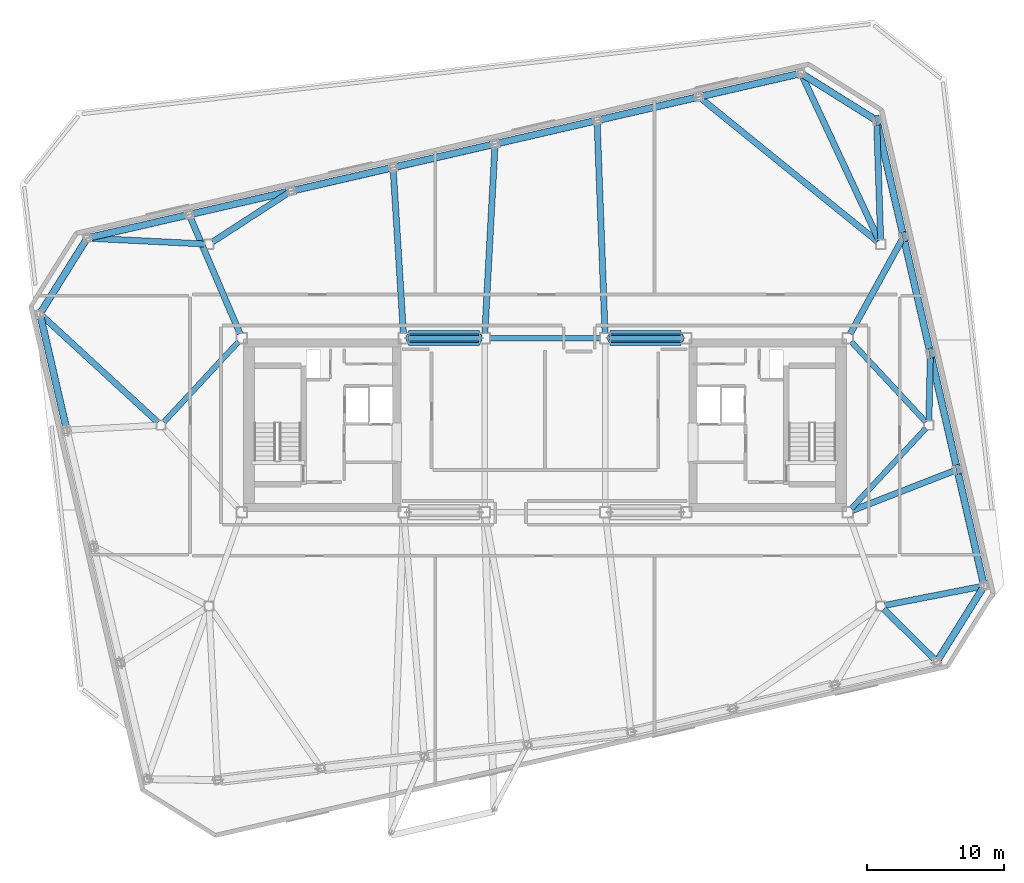
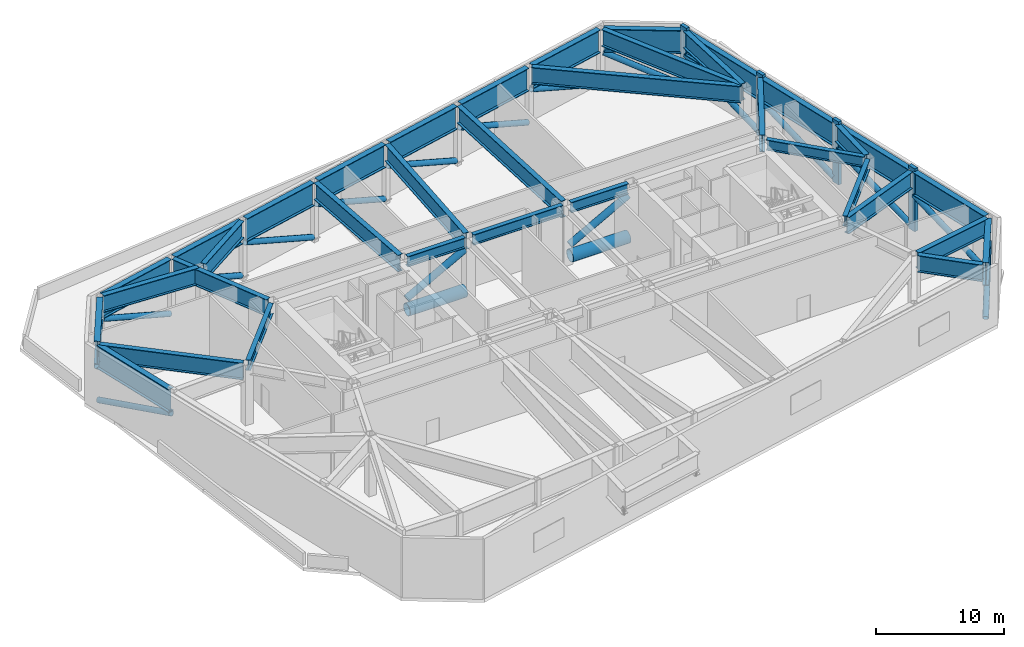
# One storey, part 5 of 15: 36 beams, 23 members.
"""IFC4 building model written with IfcOpenShell, lengths in metres."""

from ifc_helpers import new_model, si_unit, direction, frame, origin, origin_2d, place, context, subcontext, project, spatial, rectangle, hollow_circle, i_section, extrude, material, material_profile, profile_set, type_object, element, save


model = new_model("IFC4")

# Units and contexts
model_context = context("Model", 3, precision=1e-05, world=origin(), true_north=direction((0.0, 1.0)))
body_context = subcontext(model_context, "Body", "Model", "MODEL_VIEW")
ifc_project = project(units=[si_unit("LENGTHUNIT", "METRE"), si_unit("AREAUNIT", "SQUARE_METRE"), si_unit("VOLUMEUNIT", "CUBIC_METRE"), si_unit("PLANEANGLEUNIT", "RADIAN"), si_unit("MASSUNIT", "GRAM", prefix="KILO")], contexts=[model_context])

# Site, building, storey
site_placement = place(None, origin())
site = spatial("IfcSite", under=ifc_project, at=site_placement, CompositionType="ELEMENT")
building_placement = place(site_placement, origin())
building = spatial("IfcBuilding", under=site, at=building_placement, Name="Tavrogorsk Clinical Tower", CompositionType="ELEMENT")
storey_placement = place(building_placement, frame((0.0, 0.0, 271.0)))
storey = spatial("IfcBuildingStorey", under=building, at=storey_placement, Name="L63", CompositionType="ELEMENT", Elevation=271.0)

# Members
ifc_material_1 = material(Name="Structural steel S440", Category="steel")
ifc_material_profile_1 = material_profile(ifc_material_1, hollow_circle(Radius=0.25390625, WallThickness=0.02001953125, at=origin_2d()), Name="CHS-508x20")
ifc_profile_set_1 = profile_set([ifc_material_profile_1], Name="Structural steel S440")
member_type_1 = type_object("IfcMemberType", Name="ExoBrace_CHS508", PredefinedType="BRACE", material=ifc_profile_set_1)
member_1_placement = place(storey_placement, frame((28.69970703125, -17.06689453125, 0.451171875), z_axis=(0.477256066088, 0.763718090918, 0.434696819619), x_axis=(-0.848032108695, 0.529944848662, 0.0)))
element("IfcMember", 1, at=member_1_placement, inside=storey, type_object=member_type_1, Name="L63 Exoskeleton Belt Diagonal S8-E1", PredefinedType="BRACE", context=body_context, shape_type="SweptSolid", body=[
    extrude(hollow_circle(Radius=0.25390625, WallThickness=0.02001953125, at=origin_2d()), origin(), (0.0, 0.0, 1.0), 6.757568359375),
])
for number, where, z_axis, x_axis, name in (
    (2, (31.986572265625, -11.5146484375, 0.428955078125), (-0.211603062919, 0.916631927062, 0.339131322726), (-0.974374279925, -0.224932795787, 0.0), "L63 Exoskeleton Belt Diagonal E1-E2"),
    (3, (30.02734375, -3.02783203125, 0.428955078125), (-0.211629585235, 0.916626541245, 0.339129330105), (-0.974367810829, -0.224960817076, 0.0), "L63 Exoskeleton Belt Diagonal E2-E3"),
):
    element("IfcMember", number, at=place(storey_placement, frame(where, z_axis=z_axis, x_axis=x_axis)), inside=storey, type_object=member_type_1, Name=name, PredefinedType="BRACE", context=body_context, shape_type="SweptSolid", body=[
        extrude(hollow_circle(Radius=0.25390625, WallThickness=0.02001953125, at=origin_2d()), origin(), (0.0, 0.0, 1.0), 8.79296875),
    ])
for number, where, z_axis, x_axis, name in (
    (4, (28.06787109375, 5.458984375, 0.428955078125), (-0.211608448554, 0.916627490311, 0.339139954158), (-0.974372786563, -0.224939264704, 0.0), "L63 Exoskeleton Belt Diagonal E3-E4"),
    (5, (26.108642578125, 13.94580078125, 0.428955078125), (-0.211634971482, 0.916622104246, 0.339137961386), (-0.974366317105, -0.224967286713, 0.0), "L63 Exoskeleton Belt Diagonal E4-E5"),
):
    element("IfcMember", number, at=place(storey_placement, frame(where, z_axis=z_axis, x_axis=x_axis)), inside=storey, type_object=member_type_1, Name=name, PredefinedType="BRACE", context=body_context, shape_type="SweptSolid", body=[
        extrude(hollow_circle(Radius=0.25390625, WallThickness=0.02001953125, at=origin_2d()), origin(), (0.0, 0.0, 1.0), 8.792724609375),
    ])
member_2_placement = place(storey_placement, frame((24.020751953125, 22.330078125, 0.451171875), z_axis=(-0.763733146249, 0.477242897916, 0.434684825718), x_axis=(-0.529926820189, -0.848043374625, 0.0)))
element("IfcMember", 6, at=member_2_placement, inside=storey, type_object=member_type_1, Name="L63 Exoskeleton Belt Diagonal E5-N1", PredefinedType="BRACE", context=body_context, shape_type="SweptSolid", body=[
    extrude(hollow_circle(Radius=0.25390625, WallThickness=0.02001953125, at=origin_2d()), origin(), (0.0, 0.0, 1.0), 6.7578125),
])
member_3_placement = place(storey_placement, frame((18.4716796875, 25.617919921875, 0.438720703125), z_axis=(-0.901126803264, -0.208041553961, 0.38038033107), x_axis=(0.224951094294, -0.974370055562, 0.0)))
element("IfcMember", 7, at=member_3_placement, inside=storey, type_object=member_type_1, Name="L63 Exoskeleton Belt Diagonal N1-N2", PredefinedType="BRACE", context=body_context, shape_type="SweptSolid", body=[
    extrude(hollow_circle(Radius=0.25390625, WallThickness=0.02001953125, at=origin_2d()), origin(), (0.0, 0.0, 1.0), 7.78857421875),
])
for number, where, z_axis, x_axis, name in (
    (8, (11.033203125, 23.900634765625, 0.438720703125), (-0.901126818554, -0.208065665643, 0.380367106444), (0.224975842628, -0.974364341627, 0.0), "L63 Exoskeleton Belt Diagonal N2-N3"),
    (9, (3.594482421875, 22.18310546875, 0.438720703125), (-0.901132695085, -0.208035677668, 0.380369586937), (0.224943665568, -0.974371770589, 0.0), "L63 Exoskeleton Belt Diagonal N3-N4"),
):
    element("IfcMember", number, at=place(storey_placement, frame(where, z_axis=z_axis, x_axis=x_axis)), inside=storey, type_object=member_type_1, Name=name, PredefinedType="BRACE", context=body_context, shape_type="SweptSolid", body=[
        extrude(hollow_circle(Radius=0.25390625, WallThickness=0.02001953125, at=origin_2d()), origin(), (0.0, 0.0, 1.0), 7.788818359375),
    ])
for number, where, z_axis, x_axis, name in (
    (10, (-3.84423828125, 20.4658203125, 0.438720703125), (-0.901126803264, -0.208041553961, 0.38038033107), (0.224951094294, -0.974370055562, 0.0), "L63 Exoskeleton Belt Diagonal N4-N5"),
    (11, (-11.28271484375, 18.74853515625, 0.438720703125), (-0.901126803264, -0.208041553961, 0.38038033107), (0.224951094294, -0.974370055562, 0.0), "L63 Exoskeleton Belt Diagonal N5-N6"),
):
    element("IfcMember", number, at=place(storey_placement, frame(where, z_axis=z_axis, x_axis=x_axis)), inside=storey, type_object=member_type_1, Name=name, PredefinedType="BRACE", context=body_context, shape_type="SweptSolid", body=[
        extrude(hollow_circle(Radius=0.25390625, WallThickness=0.02001953125, at=origin_2d()), origin(), (0.0, 0.0, 1.0), 7.78857421875),
    ])
for number, where, z_axis, x_axis, name in (
    (12, (-18.72119140625, 17.03125, 0.438720703125), (-0.901132695085, -0.208035677668, 0.380369586937), (0.224943665568, -0.974371770589, 0.0), "L63 Exoskeleton Belt Diagonal N6-N7"),
    (13, (-26.159912109375, 15.313720703125, 0.438720703125), (-0.901132695085, -0.208035677668, 0.380369586937), (0.224943665568, -0.974371770589, 0.0), "L63 Exoskeleton Belt Diagonal N7-N8"),
):
    element("IfcMember", number, at=place(storey_placement, frame(where, z_axis=z_axis, x_axis=x_axis)), inside=storey, type_object=member_type_1, Name=name, PredefinedType="BRACE", context=body_context, shape_type="SweptSolid", body=[
        extrude(hollow_circle(Radius=0.25390625, WallThickness=0.02001953125, at=origin_2d()), origin(), (0.0, 0.0, 1.0), 7.788818359375),
    ])
member_4_placement = place(storey_placement, frame((-33.499755859375, 13.467041015625, 0.451171875), z_axis=(-0.477228166059, -0.763731259165, 0.434704314787), x_axis=(0.848050137554, -0.529915997301, 0.0)))
element("IfcMember", 14, at=member_4_placement, inside=storey, type_object=member_type_1, Name="L63 Exoskeleton Belt Diagonal N8-W1", PredefinedType="BRACE", context=body_context, shape_type="SweptSolid", body=[
    extrude(hollow_circle(Radius=0.25390625, WallThickness=0.02001953125, at=origin_2d()), origin(), (0.0, 0.0, 1.0), 6.757568359375),
])
member_5_placement = place(storey_placement, frame((-36.78662109375, 7.91455078125, 0.428955078125), z_axis=(0.211608448554, -0.916627490311, 0.339139954158), x_axis=(0.974372786563, 0.224939264704, 0.0)))
element("IfcMember", 15, at=member_5_placement, inside=storey, type_object=member_type_1, Name="L63 Exoskeleton Belt Diagonal W1-W2", PredefinedType="BRACE", context=body_context, shape_type="SweptSolid", body=[
    extrude(hollow_circle(Radius=0.25390625, WallThickness=0.02001953125, at=origin_2d()), origin(), (0.0, 0.0, 1.0), 8.792724609375),
])
ifc_material_2 = material(Name="Precast concrete B45 with limestone cladding", Category="masonry")
ifc_material_profile_2 = material_profile(ifc_material_2, rectangle(XDim=0.320068359375, YDim=0.719970703125, at=origin_2d()), Name="LIMESTONE-FIN-320x720")
ifc_profile_set_2 = profile_set([ifc_material_profile_2], Name="Precast concrete B45 with limestone cladding")
member_type_2 = type_object("IfcMemberType", Name="LimestonePleatFin_320x720", PredefinedType="USERDEFINED", material=ifc_profile_set_2)
for number, where, z_axis, x_axis, name in (
    (16, (30.154541015625, -3.223388671875, 0.0), (0.0, 0.0, 1.0), (0.974370064785, 0.224951054344, 0.0), "L63 E Pleated Stone Fin 1"),
    (17, (28.1953125, 5.263427734375, 0.0), (0.0, 0.0, 1.0), (0.974370064785, 0.224951054344, 0.0), "L63 E Pleated Stone Fin 2"),
    (18, (26.23583984375, 13.750244140625, 0.0), (0.0, 0.0, 1.0), (0.974370064785, 0.224951054344, 0.0), "L63 E Pleated Stone Fin 3"),
    (19, (24.276611328125, 22.237060546875, 0.0), (0.0, 0.0, 1.0), (0.974370064785, 0.224951054344, 0.0), "L63 E Pleated Stone Fin 4"),
):
    element("IfcMember", number, at=place(storey_placement, frame(where, z_axis=z_axis, x_axis=x_axis)), inside=storey, type_object=member_type_2, Name=name, ObjectType="FIN", PredefinedType="USERDEFINED", context=body_context, shape_type="SweptSolid", body=[
        extrude(rectangle(XDim=0.320068359375, YDim=0.719970703125, at=origin_2d()), origin(), (0.0, 0.0, 1.0), 6.0),
    ])
ifc_material_3 = material(Name="Structural steel S440", Category="steel")
ifc_material_profile_3 = material_profile(ifc_material_3, hollow_circle(Radius=0.550048828125, WallThickness=0.0400390625, at=origin_2d()), Name="CHS-1100x40")
ifc_profile_set_3 = profile_set([ifc_material_profile_3], Name="Structural steel S440")
member_type_3 = type_object("IfcMemberType", Name="OutriggerChord_CHS1100", PredefinedType="CHORD", material=ifc_profile_set_3)
for number, where, z_axis, x_axis, name in (
    (20, (-9.93994140625, 6.35009765625, 0.580078125), (1.0, 0.0, 0.0), (0.0, 1.0, 0.0), "L63 Outrigger Bottom Chord 02"),
    (21, (4.760009765625, 6.35009765625, 0.580078125), (1.0, 0.0, 0.0), (0.0, 1.0, 0.0), "L63 Outrigger Bottom Chord 04"),
):
    element("IfcMember", number, at=place(storey_placement, frame(where, z_axis=z_axis, x_axis=x_axis)), inside=storey, type_object=member_type_3, Name=name, PredefinedType="CHORD", context=body_context, shape_type="SweptSolid", body=[
        extrude(hollow_circle(Radius=0.550048828125, WallThickness=0.0400390625, at=origin_2d()), origin(), (0.0, 0.0, 1.0), 5.179931640625),
    ])
ifc_material_4 = material(Name="Structural steel S440", Category="steel")
ifc_material_profile_4 = material_profile(ifc_material_4, hollow_circle(Radius=0.304931640625, WallThickness=0.02490234375, at=origin_2d()), Name="CHS-610x25")
ifc_profile_set_4 = profile_set([ifc_material_profile_4], Name="Structural steel S440")
member_type_4 = type_object("IfcMemberType", Name="OutriggerDiag_CHS610", PredefinedType="BRACE", material=ifc_profile_set_4)
for number, where, z_axis, x_axis, name in (
    (22, (-9.98388671875, 6.35009765625, 1.652099609375), (0.878403848751, 0.0, 0.477919112926), (0.0, 1.0, 0.0), "L63 Outrigger Diagonal 02"),
    (23, (4.71630859375, 6.35009765625, 1.652099609375), (0.878403848751, 0.0, 0.477919112926), (0.0, 1.0, 0.0), "L63 Outrigger Diagonal 04"),
):
    element("IfcMember", number, at=place(storey_placement, frame(where, z_axis=z_axis, x_axis=x_axis)), inside=storey, type_object=member_type_4, Name=name, PredefinedType="BRACE", context=body_context, shape_type="SweptSolid", body=[
        extrude(hollow_circle(Radius=0.304931640625, WallThickness=0.02490234375, at=origin_2d()), origin(), (0.0, 0.0, 1.0), 5.996826171875),
    ])

# Beams
ifc_material_5 = material(Name="Structural steel S440", Category="steel")
ifc_material_profile_5 = material_profile(ifc_material_5, i_section(OverallWidth=0.39990234375, OverallDepth=1.0, WebThickness=0.028076171875, FlangeThickness=0.044921875, at=origin_2d()), Name="DK-1000x400x28x45")
ifc_profile_set_5 = profile_set([ifc_material_profile_5], Name="Structural steel S440")
beam_type_1 = type_object("IfcBeamType", Name="TransferGirder_DK1000", PredefinedType="USERDEFINED", material=ifc_profile_set_5)
beam_1_placement = place(storey_placement, frame((-9.93994140625, 6.35009765625, 5.239990234375), z_axis=(1.0, 0.0, 0.0), x_axis=(0.0, 1.0, 0.0)))
element("IfcBeam", 24, at=beam_1_placement, inside=storey, type_object=beam_type_1, Name="L63 Primary Spine Girder MG-02", ObjectType="GIRDER", PredefinedType="USERDEFINED", context=body_context, shape_type="SweptSolid", body=[
    extrude(i_section(OverallWidth=0.39990234375, OverallDepth=1.0, WebThickness=0.028076171875, FlangeThickness=0.044921875, at=origin_2d()), origin(), (0.0, 0.0, 1.0), 5.179931640625),
])
beam_2_placement = place(storey_placement, frame((-4.0400390625, 6.35009765625, 5.239990234375), z_axis=(1.0, 0.0, 0.0), x_axis=(0.0, 1.0, 0.0)))
element("IfcBeam", 25, at=beam_2_placement, inside=storey, type_object=beam_type_1, Name="L63 Primary Spine Girder MG-04", ObjectType="GIRDER", PredefinedType="USERDEFINED", context=body_context, shape_type="SweptSolid", body=[
    extrude(i_section(OverallWidth=0.39990234375, OverallDepth=1.0, WebThickness=0.028076171875, FlangeThickness=0.044921875, at=origin_2d()), origin(), (0.0, 0.0, 1.0), 8.080078125),
])
beam_3_placement = place(storey_placement, frame((4.760009765625, 6.35009765625, 5.239990234375), z_axis=(1.0, 0.0, 0.0), x_axis=(0.0, 1.0, 0.0)))
element("IfcBeam", 26, at=beam_3_placement, inside=storey, type_object=beam_type_1, Name="L63 Primary Spine Girder MG-06", ObjectType="GIRDER", PredefinedType="USERDEFINED", context=body_context, shape_type="SweptSolid", body=[
    extrude(i_section(OverallWidth=0.39990234375, OverallDepth=1.0, WebThickness=0.028076171875, FlangeThickness=0.044921875, at=origin_2d()), origin(), (0.0, 0.0, 1.0), 5.179931640625),
])
for number, where, z_axis, x_axis, name in (
    (27, (-27.7890625, 0.22705078125, 5.239990234375), (0.680684060959, 0.732577101168, 0.0), (-0.732577101168, 0.680684060959, 0.0), "L63 Spine Link Girder OPG-6"),
    (28, (27.7890625, -0.22705078125, 5.239990234375), (-0.680684060959, -0.732577101168, 0.0), (0.732577101168, -0.680684060959, 0.0), "L63 Spine Link Girder OPG-7"),
    (29, (27.7890625, 0.22705078125, 5.239990234375), (-0.680684060959, 0.732577101168, 0.0), (-0.732577101168, -0.680684060959, 0.0), "L63 Spine Link Girder OPG-8"),
):
    element("IfcBeam", number, at=place(storey_placement, frame(where, z_axis=z_axis, x_axis=x_axis)), inside=storey, type_object=beam_type_1, Name=name, ObjectType="GIRDER", PredefinedType="USERDEFINED", context=body_context, shape_type="SweptSolid", body=[
        extrude(i_section(OverallWidth=0.39990234375, OverallDepth=1.0, WebThickness=0.028076171875, FlangeThickness=0.044921875, at=origin_2d()), origin(), (0.0, 0.0, 1.0), 7.998046875),
    ])
ifc_material_6 = material(Name="Structural steel S440", Category="steel")
ifc_material_profile_6 = material_profile(ifc_material_6, i_section(OverallWidth=0.449951171875, OverallDepth=1.60009765625, WebThickness=0.031982421875, FlangeThickness=0.050048828125, at=origin_2d()), Name="DK-1600x450x32x50")
ifc_profile_set_6 = profile_set([ifc_material_profile_6], Name="Structural steel S440")
beam_type_2 = type_object("IfcBeamType", Name="TransferGirder_DK1600", PredefinedType="USERDEFINED", material=ifc_profile_set_6)
beam_4_placement = place(storey_placement, frame((24.720458984375, -13.41796875, 4.93994140625), z_axis=(0.710870207436, -0.703323217433, 0.0), x_axis=(0.703323217433, 0.710870207436, 0.0)))
element("IfcBeam", 30, at=beam_4_placement, inside=storey, type_object=beam_type_2, Name="L63 Radial Floor Beam S8", ObjectType="GIRDER", PredefinedType="USERDEFINED", context=body_context, shape_type="SweptSolid", body=[
    extrude(i_section(OverallWidth=0.449951171875, OverallDepth=1.60009765625, WebThickness=0.031982421875, FlangeThickness=0.050048828125, at=origin_2d()), origin(), (0.0, 0.0, 1.0), 5.208251953125),
])
beam_5_placement = place(storey_placement, frame((24.368896484375, 13.48095703125, 4.93994140625), z_axis=(-0.422928957087, 0.906162842571, 0.0), x_axis=(-0.906162842571, -0.422928957087, 0.0)))
element("IfcBeam", 31, at=beam_5_placement, inside=storey, type_object=beam_type_2, Name="L63 Radial Floor Beam N1", ObjectType="GIRDER", PredefinedType="USERDEFINED", context=body_context, shape_type="SweptSolid", body=[
    extrude(i_section(OverallWidth=0.449951171875, OverallDepth=1.60009765625, WebThickness=0.031982421875, FlangeThickness=0.050048828125, at=origin_2d()), origin(), (0.0, 0.0, 1.0), 13.214111328125),
])
beam_6_placement = place(storey_placement, frame((24.25927734375, 13.395263671875, 4.93994140625), z_axis=(-0.77675399059, 0.629804126774, 0.0), x_axis=(-0.629804126774, -0.77675399059, 0.0)))
element("IfcBeam", 32, at=beam_6_placement, inside=storey, type_object=beam_type_2, Name="L63 Radial Floor Beam N2", ObjectType="GIRDER", PredefinedType="USERDEFINED", context=body_context, shape_type="SweptSolid", body=[
    extrude(i_section(OverallWidth=0.449951171875, OverallDepth=1.60009765625, WebThickness=0.031982421875, FlangeThickness=0.050048828125, at=origin_2d()), origin(), (0.0, 0.0, 1.0), 16.524169921875),
])
beam_7_placement = place(storey_placement, frame((4.386474609375, 6.709716796875, 4.93994140625), z_axis=(-0.037467286709, 0.999297854709, 0.0), x_axis=(-0.999297854709, -0.037467286709, 0.0)))
element("IfcBeam", 33, at=beam_7_placement, inside=storey, type_object=beam_type_2, Name="L63 Radial Floor Beam N3", ObjectType="GIRDER", PredefinedType="USERDEFINED", context=body_context, shape_type="SweptSolid", body=[
    extrude(i_section(OverallWidth=0.449951171875, OverallDepth=1.60009765625, WebThickness=0.031982421875, FlangeThickness=0.050048828125, at=origin_2d()), origin(), (0.0, 0.0, 1.0), 15.2998046875),
])
beam_8_placement = place(storey_placement, frame((-4.380615234375, 6.70947265625, 4.93994140625), z_axis=(0.053993651681, 0.998541278855, 0.0), x_axis=(-0.998541278855, 0.053993651681, 0.0)))
element("IfcBeam", 34, at=beam_8_placement, inside=storey, type_object=beam_type_2, Name="L63 Radial Floor Beam N4", ObjectType="GIRDER", PredefinedType="USERDEFINED", context=body_context, shape_type="SweptSolid", body=[
    extrude(i_section(OverallWidth=0.449951171875, OverallDepth=1.60009765625, WebThickness=0.031982421875, FlangeThickness=0.050048828125, at=origin_2d()), origin(), (0.0, 0.0, 1.0), 13.592041015625),
])
beam_9_placement = place(storey_placement, frame((-10.322265625, 6.709228515625, 4.93994140625), z_axis=(-0.061970081602, 0.998078007465, 0.0), x_axis=(-0.998078007465, -0.061970081602, 0.0)))
element("IfcBeam", 35, at=beam_9_placement, inside=storey, type_object=beam_type_2, Name="L63 Radial Floor Beam N5", ObjectType="GIRDER", PredefinedType="USERDEFINED", context=body_context, shape_type="SweptSolid", body=[
    extrude(i_section(OverallWidth=0.449951171875, OverallDepth=1.60009765625, WebThickness=0.031982421875, FlangeThickness=0.050048828125, at=origin_2d()), origin(), (0.0, 0.0, 1.0), 11.878173828125),
])
beam_10_placement = place(storey_placement, frame((-24.23974609375, 13.36865234375, 4.93994140625), z_axis=(0.839287867478, 0.543687295699, 0.0), x_axis=(-0.543687295699, 0.839287867478, 0.0)))
element("IfcBeam", 36, at=beam_10_placement, inside=storey, type_object=beam_type_2, Name="L63 Radial Floor Beam N6", ObjectType="GIRDER", PredefinedType="USERDEFINED", context=body_context, shape_type="SweptSolid", body=[
    extrude(i_section(OverallWidth=0.449951171875, OverallDepth=1.60009765625, WebThickness=0.031982421875, FlangeThickness=0.050048828125, at=origin_2d()), origin(), (0.0, 0.0, 1.0), 6.592529296875),
])
beam_11_placement = place(storey_placement, frame((-22.241455078125, 6.68115234375, 4.93994140625), z_axis=(-0.392846927495, 0.919603877524, 0.0), x_axis=(-0.919603877524, -0.392846927495, 0.0)))
element("IfcBeam", 37, at=beam_11_placement, inside=storey, type_object=beam_type_2, Name="L63 Radial Floor Beam N7", ObjectType="GIRDER", PredefinedType="USERDEFINED", context=body_context, shape_type="SweptSolid", body=[
    extrude(i_section(OverallWidth=0.449951171875, OverallDepth=1.60009765625, WebThickness=0.031982421875, FlangeThickness=0.050048828125, at=origin_2d()), origin(), (0.0, 0.0, 1.0), 9.20703125),
])
beam_12_placement = place(storey_placement, frame((-24.8095703125, 13.215576171875, 4.93994140625), z_axis=(-0.998749933549, 0.049985700304, 0.0), x_axis=(-0.049985700304, -0.998749933549, 0.0)))
element("IfcBeam", 38, at=beam_12_placement, inside=storey, type_object=beam_type_2, Name="L63 Radial Floor Beam N8", ObjectType="GIRDER", PredefinedType="USERDEFINED", context=body_context, shape_type="SweptSolid", body=[
    extrude(i_section(OverallWidth=0.449951171875, OverallDepth=1.60009765625, WebThickness=0.031982421875, FlangeThickness=0.050048828125, at=origin_2d()), origin(), (0.0, 0.0, 1.0), 8.35693359375),
])
beam_13_placement = place(storey_placement, frame((24.80419921875, -13.140625, 4.93994140625), z_axis=(0.981451198395, 0.191712141424, 0.0), x_axis=(-0.191712141424, 0.981451198395, 0.0)))
element("IfcBeam", 39, at=beam_13_placement, inside=storey, type_object=beam_type_2, Name="L63 Radial Floor Beam E1", ObjectType="GIRDER", PredefinedType="USERDEFINED", context=body_context, shape_type="SweptSolid", body=[
    extrude(i_section(OverallWidth=0.449951171875, OverallDepth=1.60009765625, WebThickness=0.031982421875, FlangeThickness=0.050048828125, at=origin_2d()), origin(), (0.0, 0.0, 1.0), 7.13525390625),
])
beam_14_placement = place(storey_placement, frame((22.435546875, -6.21923828125, 4.93994140625), z_axis=(0.931742794521, 0.363118940375, 0.0), x_axis=(-0.363118940375, 0.931742794521, 0.0)))
element("IfcBeam", 40, at=beam_14_placement, inside=storey, type_object=beam_type_2, Name="L63 Radial Floor Beam E2", ObjectType="GIRDER", PredefinedType="USERDEFINED", context=body_context, shape_type="SweptSolid", body=[
    extrude(i_section(OverallWidth=0.449951171875, OverallDepth=1.60009765625, WebThickness=0.031982421875, FlangeThickness=0.050048828125, at=origin_2d()), origin(), (0.0, 0.0, 1.0), 7.968017578125),
])
beam_15_placement = place(storey_placement, frame((28.0068359375, 0.309814453125, 4.93994140625), z_axis=(0.022370062613, 0.999749758839, 0.0), x_axis=(-0.999749758839, 0.022370062613, 0.0)))
element("IfcBeam", 41, at=beam_15_placement, inside=storey, type_object=beam_type_2, Name="L63 Radial Floor Beam E3", ObjectType="GIRDER", PredefinedType="USERDEFINED", context=body_context, shape_type="SweptSolid", body=[
    extrude(i_section(OverallWidth=0.449951171875, OverallDepth=1.60009765625, WebThickness=0.031982421875, FlangeThickness=0.050048828125, at=origin_2d()), origin(), (0.0, 0.0, 1.0), 4.703857421875),
])
beam_16_placement = place(storey_placement, frame((22.2734375, 6.66552734375, 4.93994140625), z_axis=(0.481704510728, 0.876333706042, 0.0), x_axis=(-0.876333706042, 0.481704510728, 0.0)))
element("IfcBeam", 42, at=beam_16_placement, inside=storey, type_object=beam_type_2, Name="L63 Radial Floor Beam E4", ObjectType="GIRDER", PredefinedType="USERDEFINED", context=body_context, shape_type="SweptSolid", body=[
    extrude(i_section(OverallWidth=0.449951171875, OverallDepth=1.60009765625, WebThickness=0.031982421875, FlangeThickness=0.050048828125, at=origin_2d()), origin(), (0.0, 0.0, 1.0), 7.8310546875),
])
beam_17_placement = place(storey_placement, frame((24.48974609375, 13.509765625, 4.93994140625), z_axis=(-0.033421222185, 0.999441354912, 0.0), x_axis=(-0.999441354912, -0.033421222185, 0.0)))
element("IfcBeam", 43, at=beam_17_placement, inside=storey, type_object=beam_type_2, Name="L63 Radial Floor Beam E5", ObjectType="GIRDER", PredefinedType="USERDEFINED", context=body_context, shape_type="SweptSolid", body=[
    extrude(i_section(OverallWidth=0.449951171875, OverallDepth=1.60009765625, WebThickness=0.031982421875, FlangeThickness=0.050048828125, at=origin_2d()), origin(), (0.0, 0.0, 1.0), 8.48095703125),
])
beam_18_placement = place(storey_placement, frame((-28.228271484375, 0.2099609375, 4.93994140625), z_axis=(-0.735959452605, 0.677025615557, 0.0), x_axis=(-0.677025615557, -0.735959452605, 0.0)))
element("IfcBeam", 44, at=beam_18_placement, inside=storey, type_object=beam_type_2, Name="L63 Radial Floor Beam W1", ObjectType="GIRDER", PredefinedType="USERDEFINED", context=body_context, shape_type="SweptSolid", body=[
    extrude(i_section(OverallWidth=0.449951171875, OverallDepth=1.60009765625, WebThickness=0.031982421875, FlangeThickness=0.050048828125, at=origin_2d()), origin(), (0.0, 0.0, 1.0), 11.462646484375),
])
ifc_material_7 = material(Name="Structural steel S440", Category="steel")
ifc_material_profile_7 = material_profile(ifc_material_7, i_section(OverallWidth=0.5, OverallDepth=2.199951171875, WebThickness=0.035888671875, FlangeThickness=0.054931640625, at=origin_2d()), Name="DK-2200x500x36x55")
ifc_profile_set_7 = profile_set([ifc_material_profile_7], Name="Structural steel S440")
beam_type_3 = type_object("IfcBeamType", Name="TransferGirder_DK2200", PredefinedType="USERDEFINED", material=ifc_profile_set_7)
beam_19_placement = place(storey_placement, frame((28.712158203125, -17.04736328125, 4.639892578125), z_axis=(0.529904457892, 0.848057348006, 0.0), x_axis=(-0.848057348006, 0.529904457892, 0.0)))
element("IfcBeam", 45, at=beam_19_placement, inside=storey, type_object=beam_type_3, Name="L63 Perimeter Spandrel S8-E1", ObjectType="GIRDER", PredefinedType="USERDEFINED", context=body_context, shape_type="SweptSolid", body=[
    extrude(i_section(OverallWidth=0.5, OverallDepth=2.199951171875, WebThickness=0.035888671875, FlangeThickness=0.054931640625, at=origin_2d()), origin(), (0.0, 0.0, 1.0), 6.039306640625),
])
for number, where, z_axis, x_axis, name in (
    (46, (31.9833984375, -11.5009765625, 4.639892578125), (-0.224950345141, 0.974370228517, 0.0), (-0.974370228517, -0.224950345141, 0.0), "L63 Perimeter Spandrel E1-E2"),
    (47, (30.024169921875, -3.01416015625, 4.639892578125), (-0.224950345141, 0.974370228517, 0.0), (-0.974370228517, -0.224950345141, 0.0), "L63 Perimeter Spandrel E2-E3"),
):
    element("IfcBeam", number, at=place(storey_placement, frame(where, z_axis=z_axis, x_axis=x_axis)), inside=storey, type_object=beam_type_3, Name=name, ObjectType="GIRDER", PredefinedType="USERDEFINED", context=body_context, shape_type="SweptSolid", body=[
        extrude(i_section(OverallWidth=0.5, OverallDepth=2.199951171875, WebThickness=0.035888671875, FlangeThickness=0.054931640625, at=origin_2d()), origin(), (0.0, 0.0, 1.0), 8.243896484375),
    ])
beam_20_placement = place(storey_placement, frame((28.06494140625, 5.472412109375, 4.639892578125), z_axis=(-0.224978460613, 0.974363737144, 0.0), x_axis=(-0.974363737144, -0.224978460613, 0.0)))
element("IfcBeam", 48, at=beam_20_placement, inside=storey, type_object=beam_type_3, Name="L63 Perimeter Spandrel E3-E4", ObjectType="GIRDER", PredefinedType="USERDEFINED", context=body_context, shape_type="SweptSolid", body=[
    extrude(i_section(OverallWidth=0.5, OverallDepth=2.199951171875, WebThickness=0.035888671875, FlangeThickness=0.054931640625, at=origin_2d()), origin(), (0.0, 0.0, 1.0), 8.244140625),
])
beam_21_placement = place(storey_placement, frame((26.10546875, 13.959228515625, 4.639892578125), z_axis=(-0.224950345141, 0.974370228517, 0.0), x_axis=(-0.974370228517, -0.224950345141, 0.0)))
element("IfcBeam", 49, at=beam_21_placement, inside=storey, type_object=beam_type_3, Name="L63 Perimeter Spandrel E4-E5", ObjectType="GIRDER", PredefinedType="USERDEFINED", context=body_context, shape_type="SweptSolid", body=[
    extrude(i_section(OverallWidth=0.5, OverallDepth=2.199951171875, WebThickness=0.035888671875, FlangeThickness=0.054931640625, at=origin_2d()), origin(), (0.0, 0.0, 1.0), 8.243896484375),
])
beam_22_placement = place(storey_placement, frame((24.0009765625, 22.342529296875, 4.639892578125), z_axis=(-0.848057348006, 0.529904457892, 0.0), x_axis=(-0.529904457892, -0.848057348006, 0.0)))
element("IfcBeam", 50, at=beam_22_placement, inside=storey, type_object=beam_type_3, Name="L63 Perimeter Spandrel E5-N1", ObjectType="GIRDER", PredefinedType="USERDEFINED", context=body_context, shape_type="SweptSolid", body=[
    extrude(i_section(OverallWidth=0.5, OverallDepth=2.199951171875, WebThickness=0.035888671875, FlangeThickness=0.054931640625, at=origin_2d()), origin(), (0.0, 0.0, 1.0), 6.039306640625),
])
beam_23_placement = place(storey_placement, frame((18.45458984375, 25.61376953125, 4.639892578125), z_axis=(-0.974375120167, -0.224929155956, 0.0), x_axis=(0.224929155956, -0.974375120167, 0.0)))
element("IfcBeam", 51, at=beam_23_placement, inside=storey, type_object=beam_type_3, Name="L63 Perimeter Spandrel N1-N2", ObjectType="GIRDER", PredefinedType="USERDEFINED", context=body_context, shape_type="SweptSolid", body=[
    extrude(i_section(OverallWidth=0.5, OverallDepth=2.199951171875, WebThickness=0.035888671875, FlangeThickness=0.054931640625, at=origin_2d()), origin(), (0.0, 0.0, 1.0), 7.16796875),
])
for number, where, z_axis, x_axis, name in (
    (52, (11.01611328125, 23.896484375, 4.639892578125), (-0.974369378592, -0.224954026551, 0.0), (0.224954026551, -0.974369378592, 0.0), "L63 Perimeter Spandrel N2-N3"),
    (53, (3.577392578125, 22.17919921875, 4.639892578125), (-0.974369378592, -0.224954026551, 0.0), (0.224954026551, -0.974369378592, 0.0), "L63 Perimeter Spandrel N3-N4"),
):
    element("IfcBeam", number, at=place(storey_placement, frame(where, z_axis=z_axis, x_axis=x_axis)), inside=storey, type_object=beam_type_3, Name=name, ObjectType="GIRDER", PredefinedType="USERDEFINED", context=body_context, shape_type="SweptSolid", body=[
        extrude(i_section(OverallWidth=0.5, OverallDepth=2.199951171875, WebThickness=0.035888671875, FlangeThickness=0.054931640625, at=origin_2d()), origin(), (0.0, 0.0, 1.0), 7.16845703125),
    ])
for number, where, z_axis, x_axis, name in (
    (54, (-3.861328125, 20.4619140625, 4.639892578125), (-0.974367655018, -0.224961491939, 0.0), (0.224961491939, -0.974367655018, 0.0), "L63 Perimeter Spandrel N4-N5"),
    (55, (-11.2998046875, 18.74462890625, 4.639892578125), (-0.974367655018, -0.224961491939, 0.0), (0.224961491939, -0.974367655018, 0.0), "L63 Perimeter Spandrel N5-N6"),
    (56, (-18.73828125, 17.027099609375, 4.639892578125), (-0.97437684326, -0.224921691527, 0.0), (0.224921691527, -0.97437684326, 0.0), "L63 Perimeter Spandrel N6-N7"),
):
    element("IfcBeam", number, at=place(storey_placement, frame(where, z_axis=z_axis, x_axis=x_axis)), inside=storey, type_object=beam_type_3, Name=name, ObjectType="GIRDER", PredefinedType="USERDEFINED", context=body_context, shape_type="SweptSolid", body=[
        extrude(i_section(OverallWidth=0.5, OverallDepth=2.199951171875, WebThickness=0.035888671875, FlangeThickness=0.054931640625, at=origin_2d()), origin(), (0.0, 0.0, 1.0), 7.168212890625),
    ])
beam_24_placement = place(storey_placement, frame((-26.177001953125, 15.309814453125, 4.639892578125), z_axis=(-0.974369378592, -0.224954026551, 0.0), x_axis=(0.224954026551, -0.974369378592, 0.0)))
element("IfcBeam", 57, at=beam_24_placement, inside=storey, type_object=beam_type_3, Name="L63 Perimeter Spandrel N7-N8", ObjectType="GIRDER", PredefinedType="USERDEFINED", context=body_context, shape_type="SweptSolid", body=[
    extrude(i_section(OverallWidth=0.5, OverallDepth=2.199951171875, WebThickness=0.035888671875, FlangeThickness=0.054931640625, at=origin_2d()), origin(), (0.0, 0.0, 1.0), 7.16845703125),
])
beam_25_placement = place(storey_placement, frame((-33.511962890625, 13.447265625, 4.639892578125), z_axis=(-0.529933531413, -0.848039180866, 0.0), x_axis=(0.848039180866, -0.529933531413, 0.0)))
element("IfcBeam", 58, at=beam_25_placement, inside=storey, type_object=beam_type_3, Name="L63 Perimeter Spandrel N8-W1", ObjectType="GIRDER", PredefinedType="USERDEFINED", context=body_context, shape_type="SweptSolid", body=[
    extrude(i_section(OverallWidth=0.5, OverallDepth=2.199951171875, WebThickness=0.035888671875, FlangeThickness=0.054931640625, at=origin_2d()), origin(), (0.0, 0.0, 1.0), 6.039306640625),
])
beam_26_placement = place(storey_placement, frame((-36.783447265625, 7.901123046875, 4.639892578125), z_axis=(0.224950345141, -0.974370228517, 0.0), x_axis=(0.974370228517, 0.224950345141, 0.0)))
element("IfcBeam", 59, at=beam_26_placement, inside=storey, type_object=beam_type_3, Name="L63 Perimeter Spandrel W1-W2", ObjectType="GIRDER", PredefinedType="USERDEFINED", context=body_context, shape_type="SweptSolid", body=[
    extrude(i_section(OverallWidth=0.5, OverallDepth=2.199951171875, WebThickness=0.035888671875, FlangeThickness=0.054931640625, at=origin_2d()), origin(), (0.0, 0.0, 1.0), 8.243896484375),
])

save(model, "model.ifc")
